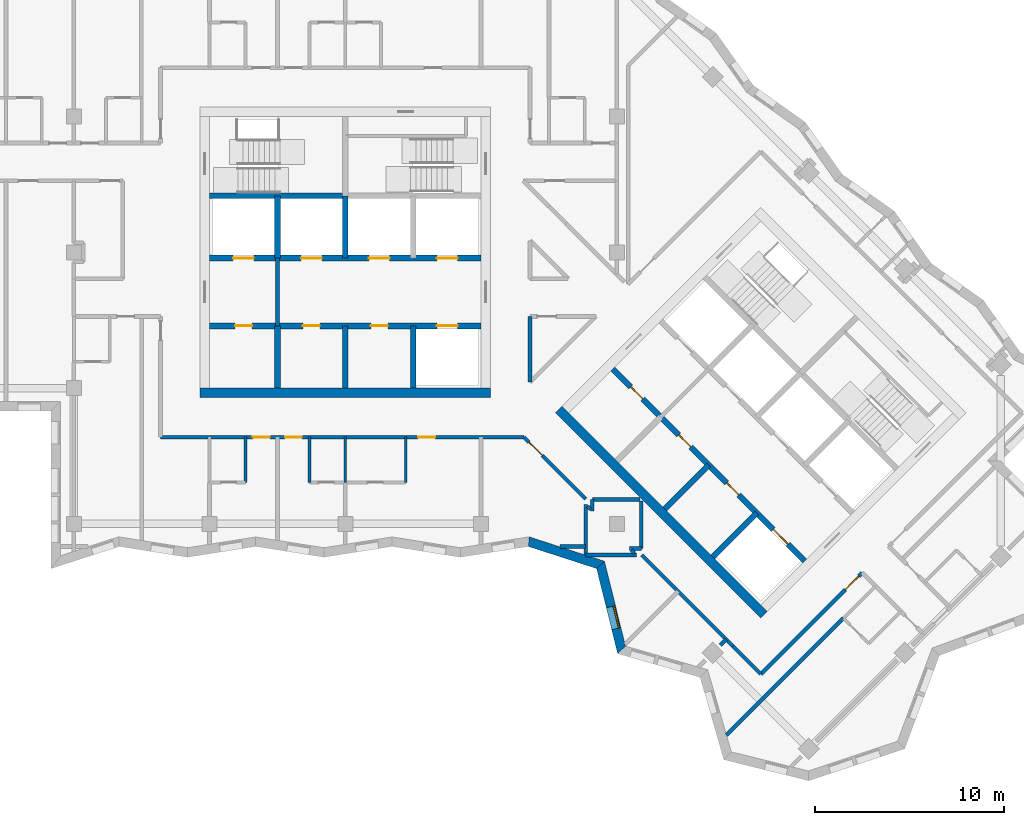
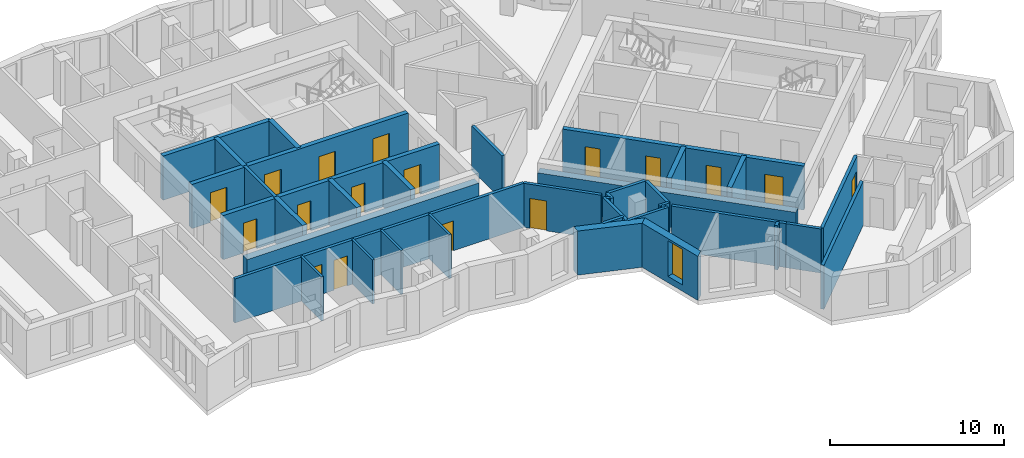
# One storey, part 4 of 13: 37 walls, 17 doors, 1 window, 18 openings.
"""IFC4 building model written with IfcOpenShell, lengths in metres."""

from ifc_helpers import new_model, si_unit, direction, frame, frame_2d, origin, place, context, subcontext, project, spatial, polyline, rectangle, outline, extrude, material, layer, layer_set, type_object, element, fill, save


model = new_model("IFC4")

# Units and contexts
model_context = context("Model", 3, precision=1e-05, world=origin(), true_north=direction((0.0, 1.0)))
body_context = subcontext(model_context, "Body", "Model", "MODEL_VIEW")
ifc_project = project(units=[si_unit("LENGTHUNIT", "METRE"), si_unit("AREAUNIT", "SQUARE_METRE"), si_unit("VOLUMEUNIT", "CUBIC_METRE"), si_unit("PLANEANGLEUNIT", "RADIAN"), si_unit("MASSUNIT", "GRAM", prefix="KILO")], contexts=[model_context])

# Site, building, storey
site_placement = place(None, origin())
site = spatial("IfcSite", under=ifc_project, at=site_placement, CompositionType="ELEMENT")
building_placement = place(site_placement, origin())
building = spatial("IfcBuilding", under=site, at=building_placement, Name="Windrow Commons", CompositionType="ELEMENT")
storey_placement = place(building_placement, frame((0.0, 0.0, 220.2)))
storey = spatial("IfcBuildingStorey", under=building, at=storey_placement, Name="L60", CompositionType="ELEMENT", Elevation=220.2)

# Wall
ifc_material_1 = material(Name="Brick masonry, red clay brick", Category="masonry")
ifc_layer_1 = layer(ifc_material_1, 0.5)
ifc_layer_set_1 = layer_set([ifc_layer_1], Name="Brick facade wall 500")
wall_type_1 = type_object("IfcWallType", Name="Brick facade wall 500", PredefinedType="SOLIDWALL", material=ifc_layer_set_1)
wall_1_placement = place(storey_placement, frame((74.532, 42.2563, 0.0), z_axis=(0.0, 0.0, 1.0), x_axis=(0.9512828791, -0.308319451, 0.0)))
element("IfcWall", 1, at=wall_1_placement, inside=storey, type_object=wall_type_1, Name="Brick facade wall L60 45", PredefinedType="SOLIDWALL", context=body_context, shape_type="SweptSolid", body=[
    extrude(outline(polyline([(0.0599, -0.25), (3.8611, -0.25), (4.139, 0.25), (-0.0599, 0.25), (0.0599, -0.25)])), origin(), (0.0, 0.0, 1.0), 3.1),
])

# Wall, opening, window
wall_2_placement = place(storey_placement, frame((78.3372, 41.023, 0.0), z_axis=(0.0, 0.0, 1.0), x_axis=(0.2402739698, -0.9707051146, 0.0)))
wall_2 = element("IfcWall", 2, at=wall_2_placement, inside=storey, type_object=wall_type_1, Name="Brick facade wall L60 46", PredefinedType="SOLIDWALL", context=body_context, shape_type="SweptSolid", body=[
    extrude(outline(polyline([(0.139, -0.25), (4.7858, -0.25), (4.4969, 0.25), (-0.139, 0.25), (0.139, -0.25)])), origin(), (0.0, 0.0, 1.0), 3.1),
])
opening_1_placement = place(wall_2_placement, frame((2.2814, 0.0, 0.45)))
opening_1 = element("IfcOpeningElement", 3, at=opening_1_placement, cuts=wall_2, Name="Opening W7E", PredefinedType="OPENING", context=body_context, shape_type="SweptSolid", body=[
    extrude(rectangle(XDim=1.2, YDim=2.5, at=frame_2d((0.6, 1.25))), frame((0.0, 0.26, 0.0), z_axis=(0.0, -1.0, 0.0), x_axis=(1.0, 0.0, 0.0)), (0.0, 0.0, 1.0), 0.52),
])
ifc_material_2 = material(Name="Clear float glass in anodised aluminium frame", Category="aluminium")
window_type = type_object("IfcWindowType", Name="Window W7 notch 1200x2500", PartitioningType="SINGLE_PANEL", PredefinedType="WINDOW", material=ifc_material_2)
window_placement = place(opening_1_placement, origin())
window = element("IfcWindow", 4, at=window_placement, inside=storey, type_object=window_type, Name="Window L60 46.1", OverallHeight=2.5, OverallWidth=1.2, PartitioningType="SINGLE_PANEL", PredefinedType="WINDOW", context=body_context, shape_type="SweptSolid", body=[
    extrude(rectangle(XDim=1.2, YDim=2.5, at=frame_2d((0.6, 1.25))), frame((0.0, 0.18, 0.0), z_axis=(0.0, -1.0, 0.0), x_axis=(1.0, 0.0, 0.0)), (0.0, 0.0, 1.0), 0.06),
])
fill(opening_1, window)

# Wall
ifc_material_3 = material(Name="Blockwork partition", Category="masonry")
ifc_layer_2 = layer(ifc_material_3, 0.2)
ifc_layer_set_2 = layer_set([ifc_layer_2], Name="Fire lobby partition 200")
wall_type_2 = type_object("IfcWallType", Name="Fire lobby partition 200", PredefinedType="PARTITIONING", material=ifc_layer_set_2)
wall_3_placement = place(storey_placement, frame((61.2, 53.7, 0.0), z_axis=(0.0, 0.0, 1.0), x_axis=(0.0, 1.0, 0.0)))
element("IfcWall", 5, at=wall_3_placement, inside=storey, type_object=wall_type_2, Name="W-core-lobby-A-L60", PredefinedType="PARTITIONING", context=body_context, shape_type="SweptSolid", body=[
    extrude(rectangle(XDim=3.6, YDim=0.2, at=frame_2d((1.8, 0.0))), origin(), (0.0, 0.0, 1.0), 3.1),
])

# Wall, openings, doors
ifc_material_4 = material(Name="Blockwork partition", Category="masonry")
ifc_layer_3 = layer(ifc_material_4, 0.2)
ifc_layer_set_3 = layer_set([ifc_layer_3], Name="IW-CORRIDOR-200")
wall_type_3 = type_object("IfcWallType", Name="IW-CORRIDOR-200", PredefinedType="PARTITIONING", material=ifc_layer_set_3)
wall_4_placement = place(storey_placement, frame((55.0, 47.8, 0.0), z_axis=(0.0, 0.0, 1.0), x_axis=(1.0, 0.0, 0.0)))
wall_4 = element("IfcWall", 6, at=wall_4_placement, inside=storey, type_object=wall_type_3, Name="W-L60-W001", PredefinedType="PARTITIONING", context=body_context, shape_type="SweptSolid", body=[
    extrude(rectangle(XDim=19.266, YDim=0.2, at=frame_2d((9.633, 0.0))), origin(), (0.0, 0.0, 1.0), 3.1),
])
opening_2_placement = place(wall_4_placement, frame((4.9, 0.0, 0.0)))
opening_2 = element("IfcOpeningElement", 7, at=opening_2_placement, cuts=wall_4, Name="Opening D109S", PredefinedType="OPENING", context=body_context, shape_type="SweptSolid", body=[
    extrude(rectangle(XDim=0.9, YDim=2.1, at=frame_2d((0.45, 1.05))), frame((0.0, 0.11, 0.0), z_axis=(0.0, -1.0, 0.0), x_axis=(1.0, 0.0, 0.0)), (0.0, 0.0, 1.0), 0.22),
])
opening_3_placement = place(wall_4_placement, frame((6.6, 0.0, 0.0)))
opening_3 = element("IfcOpeningElement", 8, at=opening_3_placement, cuts=wall_4, Name="Opening D109S", PredefinedType="OPENING", context=body_context, shape_type="SweptSolid", body=[
    extrude(rectangle(XDim=0.9, YDim=2.1, at=frame_2d((0.45, 1.05))), frame((0.0, 0.11, 0.0), z_axis=(0.0, -1.0, 0.0), x_axis=(1.0, 0.0, 0.0)), (0.0, 0.0, 1.0), 0.22),
])
opening_4_placement = place(wall_4_placement, frame((13.6607, 0.0, 0.0)))
opening_4 = element("IfcOpeningElement", 9, at=opening_4_placement, cuts=wall_4, Name="Opening D109F", PredefinedType="OPENING", context=body_context, shape_type="SweptSolid", body=[
    extrude(rectangle(XDim=0.9, YDim=2.1, at=frame_2d((0.45, 1.05))), frame((0.0, 0.11, 0.0), z_axis=(0.0, -1.0, 0.0), x_axis=(1.0, 0.0, 0.0)), (0.0, 0.0, 1.0), 0.22),
])
ifc_material_5 = material(Name="Timber door leaf", Category="wood")
door_type_1 = type_object("IfcDoorType", Name="DT-BEDROOM-900", OperationType="SINGLE_SWING_LEFT", PredefinedType="DOOR", material=ifc_material_5)
door_1_placement = place(opening_2_placement, origin())
door_1 = element("IfcDoor", 10, at=door_1_placement, inside=storey, type_object=door_type_1, Name="D-L60-D030", OperationType="SINGLE_SWING_LEFT", OverallHeight=2.1, OverallWidth=0.9, PredefinedType="DOOR", context=body_context, shape_type="SweptSolid", body=[
    extrude(rectangle(XDim=0.9, YDim=2.1, at=frame_2d((0.45, 1.05))), frame((0.0, 0.025, 0.0), z_axis=(0.0, -1.0, 0.0), x_axis=(1.0, 0.0, 0.0)), (0.0, 0.0, 1.0), 0.05),
])
fill(opening_2, door_1)
door_2_placement = place(opening_3_placement, origin())
door_2 = element("IfcDoor", 11, at=door_2_placement, inside=storey, type_object=door_type_1, Name="D-L60-D032", OperationType="SINGLE_SWING_RIGHT", OverallHeight=2.1, OverallWidth=0.9, PredefinedType="DOOR", context=body_context, shape_type="SweptSolid", body=[
    extrude(rectangle(XDim=0.9, YDim=2.1, at=frame_2d((0.45, 1.05))), frame((0.0, 0.025, 0.0), z_axis=(0.0, -1.0, 0.0), x_axis=(1.0, 0.0, 0.0)), (0.0, 0.0, 1.0), 0.05),
])
fill(opening_3, door_2)
door_3_placement = place(opening_4_placement, origin())
door_3 = element("IfcDoor", 12, at=door_3_placement, inside=storey, type_object=door_type_1, Name="D-L60-D034", OperationType="SINGLE_SWING_LEFT", OverallHeight=2.1, OverallWidth=0.9, PredefinedType="DOOR", context=body_context, shape_type="SweptSolid", body=[
    extrude(rectangle(XDim=0.9, YDim=2.1, at=frame_2d((0.45, 1.05))), frame((0.0, 0.025, 0.0), z_axis=(0.0, -1.0, 0.0), x_axis=(1.0, 0.0, 0.0)), (0.0, 0.0, 1.0), 0.05),
])
fill(opening_4, door_3)

# Wall, opening, door
wall_5_placement = place(storey_placement, frame((86.8353, 35.2307, 0.0), z_axis=(0.0, 0.0, 1.0), x_axis=(0.7071067812, 0.7071067812, 0.0)))
wall_5 = element("IfcWall", 13, at=wall_5_placement, inside=storey, type_object=wall_type_3, Name="W-L60-W013", PredefinedType="PARTITIONING", context=body_context, shape_type="SweptSolid", body=[
    extrude(rectangle(XDim=7.6, YDim=0.2, at=frame_2d((3.8, 0.0))), origin(), (0.0, 0.0, 1.0), 3.1),
])
opening_5_placement = place(wall_5_placement, frame((6.3464, 0.0, 0.0)))
opening_5 = element("IfcOpeningElement", 14, at=opening_5_placement, cuts=wall_5, Name="Opening D310F", PredefinedType="OPENING", context=body_context, shape_type="SweptSolid", body=[
    extrude(rectangle(XDim=1.0, YDim=2.1, at=frame_2d((0.5, 1.05))), frame((0.0, 0.11, 0.0), z_axis=(0.0, -1.0, 0.0), x_axis=(1.0, 0.0, 0.0)), (0.0, 0.0, 1.0), 0.22),
])
ifc_material_6 = material(Name="Timber door leaf", Category="wood")
door_type_2 = type_object("IfcDoorType", Name="DT-AMENITY-1000", OperationType="SINGLE_SWING_LEFT", PredefinedType="DOOR", material=ifc_material_6)
door_4_placement = place(opening_5_placement, origin())
door_4 = element("IfcDoor", 15, at=door_4_placement, inside=storey, type_object=door_type_2, Name="D-L60-D051", OperationType="SINGLE_SWING_RIGHT", OverallHeight=2.1, OverallWidth=1.0, PredefinedType="DOOR", context=body_context, shape_type="SweptSolid", body=[
    extrude(rectangle(XDim=1.0, YDim=2.1, at=frame_2d((0.5, 1.05))), frame((0.0, 0.025, 0.0), z_axis=(0.0, -1.0, 0.0), x_axis=(1.0, 0.0, 0.0)), (0.0, 0.0, 1.0), 0.05),
])
fill(opening_5, door_4)

# Wall
wall_6_placement = place(storey_placement, frame((80.5215, 41.5535, 0.0), z_axis=(0.0, 0.0, 1.0), x_axis=(0.7071067812, -0.7071067812, 0.0)))
element("IfcWall", 16, at=wall_6_placement, inside=storey, type_object=wall_type_3, Name="W-L60-W018", PredefinedType="PARTITIONING", context=body_context, shape_type="SweptSolid", body=[
    extrude(rectangle(XDim=6.8363, YDim=0.2, at=frame_2d((3.4181, 0.0))), origin(), (0.0, 0.0, 1.0), 3.1),
])

# Wall, opening, door
wall_7_placement = place(storey_placement, frame((74.2715, 47.8035, 0.0), z_axis=(0.0, 0.0, 1.0), x_axis=(0.7071067812, -0.7071067812, 0.0)))
wall_7 = element("IfcWall", 17, at=wall_7_placement, inside=storey, type_object=wall_type_3, Name="W-L60-W036", PredefinedType="PARTITIONING", context=body_context, shape_type="SweptSolid", body=[
    extrude(rectangle(XDim=4.6414, YDim=0.2, at=frame_2d((2.3207, 0.0))), origin(), (0.0, 0.0, 1.0), 3.1),
])
opening_6_placement = place(wall_7_placement, frame((0.3824, 0.0, 0.0)))
opening_6 = element("IfcOpeningElement", 18, at=opening_6_placement, cuts=wall_7, Name="Opening D310F", PredefinedType="OPENING", context=body_context, shape_type="SweptSolid", body=[
    extrude(rectangle(XDim=1.0, YDim=2.1, at=frame_2d((0.5, 1.05))), frame((0.0, 0.11, 0.0), z_axis=(0.0, -1.0, 0.0), x_axis=(1.0, 0.0, 0.0)), (0.0, 0.0, 1.0), 0.22),
])
door_5_placement = place(opening_6_placement, origin())
door_5 = element("IfcDoor", 19, at=door_5_placement, inside=storey, type_object=door_type_2, Name="D-L60-D036", OperationType="SINGLE_SWING_LEFT", OverallHeight=2.1, OverallWidth=1.0, PredefinedType="DOOR", context=body_context, shape_type="SweptSolid", body=[
    extrude(rectangle(XDim=1.0, YDim=2.1, at=frame_2d((0.5, 1.05))), frame((0.0, 0.025, 0.0), z_axis=(0.0, -1.0, 0.0), x_axis=(1.0, 0.0, 0.0)), (0.0, 0.0, 1.0), 0.05),
])
fill(opening_6, door_5)

# Walls
wall_8_placement = place(storey_placement, frame((74.6, 50.714, 0.0), z_axis=(0.0, 0.0, 1.0), x_axis=(0.0, 1.0, 0.0)))
element("IfcWall", 20, at=wall_8_placement, inside=storey, type_object=wall_type_3, Name="W-L60-W052", PredefinedType="PARTITIONING", context=body_context, shape_type="SweptSolid", body=[
    extrude(rectangle(XDim=3.486, YDim=0.2, at=frame_2d((1.743, 0.0))), origin(), (0.0, 0.0, 1.0), 3.1),
])
for number, where, z_axis, x_axis, name in (
    (21, (77.902, 44.5, 0.0), (0.0, 0.0, 1.0), (1.0, 0.0, 0.0), "W-L60-W068"),
    (22, (80.5, 41.902, 0.0), (0.0, 0.0, 1.0), (0.0, 1.0, 0.0), "W-L60-W069"),
):
    element("IfcWall", number, at=place(storey_placement, frame(where, z_axis=z_axis, x_axis=x_axis)), inside=storey, type_object=wall_type_3, Name=name, PredefinedType="PARTITIONING", context=body_context, shape_type="SweptSolid", body=[
        extrude(rectangle(XDim=2.522, YDim=0.2, at=frame_2d((1.261, 0.0))), origin(), (0.0, 0.0, 1.0), 3.1),
    ])
wall_9_placement = place(storey_placement, frame((85.3532, 36.7172, 0.0), z_axis=(0.0, 0.0, 1.0), x_axis=(0.7066304548, -0.7075827869, 0.0)))
element("IfcWall", 23, at=wall_9_placement, inside=storey, type_object=wall_type_3, Name="W-L60-W105", PredefinedType="PARTITIONING", context=body_context, shape_type="SweptSolid", body=[
    extrude(rectangle(XDim=2.1001, YDim=0.2, at=frame_2d((1.05, 0.0))), origin(), (0.0, 0.0, 1.0), 3.1),
])
for number, where, z_axis, x_axis, name in (
    (24, (77.9, 43.884, 0.0), (0.0, 0.0, 1.0), (0.0, 1.0, 0.0), "W-L60-W156"),
    (25, (79.884, 41.9, 0.0), (0.0, 0.0, 1.0), (1.0, 0.0, 0.0), "W-L60-W157"),
):
    element("IfcWall", number, at=place(storey_placement, frame(where, z_axis=z_axis, x_axis=x_axis)), inside=storey, type_object=wall_type_3, Name=name, PredefinedType="PARTITIONING", context=body_context, shape_type="SweptSolid", body=[
        extrude(rectangle(XDim=0.616, YDim=0.2, at=frame_2d((0.308, 0.0))), origin(), (0.0, 0.0, 1.0), 3.1),
    ])
for number, where, z_axis, x_axis, name in (
    (26, (79.9729, 41.805, 0.0), (0.0, 0.0, 1.0), (0.707329037, -0.7068844555, 0.0), "W-L60-W167"),
    (27, (77.646, 44.132, 0.0), (0.0, 0.0, 1.0), (0.7068844555, -0.707329037, 0.0), "W-L60-W168"),
):
    element("IfcWall", number, at=place(storey_placement, frame(where, z_axis=z_axis, x_axis=x_axis)), inside=storey, type_object=wall_type_3, Name=name, PredefinedType="PARTITIONING", context=body_context, shape_type="SweptSolid", body=[
        extrude(rectangle(XDim=0.2249, YDim=0.2, at=frame_2d((0.1124, 0.0))), origin(), (0.0, 0.0, 1.0), 3.1),
    ])
ifc_material_7 = material(Name="Blockwork partition", Category="masonry")
ifc_layer_4 = layer(ifc_material_7, 0.15)
ifc_layer_set_4 = layer_set([ifc_layer_4], Name="IW-ENSUITE-150")
wall_type_4 = type_object("IfcWallType", Name="IW-ENSUITE-150", PredefinedType="PARTITIONING", material=ifc_layer_set_4)
for number, where, z_axis, x_axis, name in (
    (28, (59.5, 45.4, 0.0), (0.0, 0.0, 1.0), (0.0, 1.0, 0.0), "W-L60-W089"),
    (29, (62.9, 45.4, 0.0), (0.0, 0.0, 1.0), (0.0, 1.0, 0.0), "W-L60-W091"),
    (30, (68.0, 45.4, 0.0), (0.0, 0.0, 1.0), (0.0, 1.0, 0.0), "W-L60-W092"),
    (31, (64.8, 45.4, 0.0), (0.0, 0.0, 1.0), (0.0, 1.0, 0.0), "W-L60-W093"),
):
    element("IfcWall", number, at=place(storey_placement, frame(where, z_axis=z_axis, x_axis=x_axis)), inside=storey, type_object=wall_type_4, Name=name, PredefinedType="PARTITIONING", context=body_context, shape_type="SweptSolid", body=[
        extrude(rectangle(XDim=2.4, YDim=0.15, at=frame_2d((1.2, 0.0))), origin(), (0.0, 0.0, 1.0), 3.1),
    ])
ifc_material_8 = material(Name="Blockwork partition", Category="masonry")
ifc_layer_5 = layer(ifc_material_8, 0.2)
ifc_layer_set_5 = layer_set([ifc_layer_5], Name="IW-PARTY-200")
wall_type_5 = type_object("IfcWallType", Name="IW-PARTY-200", PredefinedType="PARTITIONING", material=ifc_layer_set_5)
wall_10_placement = place(storey_placement, frame((85.0157, 31.9969, 0.0), z_axis=(0.0, 0.0, 1.0), x_axis=(0.7071067812, 0.7071067812, 0.0)))
element("IfcWall", 32, at=wall_10_placement, inside=storey, type_object=wall_type_5, Name="W-L60-W012", PredefinedType="PARTITIONING", context=body_context, shape_type="SweptSolid", body=[
    extrude(rectangle(XDim=8.7734, YDim=0.2, at=frame_2d((4.3867, 0.0))), origin(), (0.0, 0.0, 1.0), 3.1),
])
wall_11_placement = place(storey_placement, frame((77.572, 41.55, 0.0), z_axis=(0.0, 0.0, 1.0), x_axis=(1.0, 0.0, 0.0)))
element("IfcWall", 33, at=wall_11_placement, inside=storey, type_object=wall_type_5, Name="W-L60-W064", PredefinedType="PARTITIONING", context=body_context, shape_type="SweptSolid", body=[
    extrude(rectangle(XDim=2.662, YDim=0.2, at=frame_2d((1.331, 0.0))), origin(), (0.0, 0.0, 1.0), 3.1),
])
wall_12_placement = place(storey_placement, frame((77.55, 41.5409, 0.0), z_axis=(0.0, 0.0, 1.0), x_axis=(0.0, 1.0, 0.0)))
element("IfcWall", 34, at=wall_12_placement, inside=storey, type_object=wall_type_5, Name="W-L60-W065", PredefinedType="PARTITIONING", context=body_context, shape_type="SweptSolid", body=[
    extrude(rectangle(XDim=2.6931, YDim=0.2, at=frame_2d((1.3465, 0.0))), origin(), (0.0, 0.0, 1.0), 3.1),
])
wall_13_placement = place(storey_placement, frame((76.1836, 42.0, 0.0), z_axis=(0.0, 0.0, 1.0), x_axis=(1.0, 0.0, 0.0)))
element("IfcWall", 35, at=wall_13_placement, inside=storey, type_object=wall_type_5, Name="W-L60-W133", PredefinedType="PARTITIONING", context=body_context, shape_type="SweptSolid", body=[
    extrude(rectangle(XDim=1.3664, YDim=0.2, at=frame_2d((0.6832, 0.0))), origin(), (0.0, 0.0, 1.0), 3.1),
])
wall_14_placement = place(storey_placement, frame((84.6908, 36.7632, 0.0), z_axis=(0.0, 0.0, 1.0), x_axis=(0.7071067812, 0.7071067812, 0.0)))
element("IfcWall", 36, at=wall_14_placement, inside=storey, type_object=wall_type_5, Name="W-L60-W186", PredefinedType="PARTITIONING", context=body_context, shape_type="SweptSolid", body=[
    extrude(rectangle(XDim=0.4327, YDim=0.2, at=frame_2d((0.2163, 0.0))), origin(), (0.0, 0.0, 1.0), 3.1),
])
ifc_material_9 = material(Name="Concrete C40/50", Category="concrete")
ifc_layer_6 = layer(ifc_material_9, 0.5)
ifc_layer_set_6 = layer_set([ifc_layer_6], Name="RC CORE WALL 500 C40/50")
wall_type_6 = type_object("IfcWallType", Name="RC CORE WALL 500 C40/50", PredefinedType="SHEAR", material=ifc_layer_set_6)
wall_15_placement = place(storey_placement, frame((57.1, 50.15, -0.3), z_axis=(0.0, 0.0, 1.0), x_axis=(1.0, 0.0, 0.0)))
element("IfcWall", 37, at=wall_15_placement, inside=storey, type_object=wall_type_6, Name="Core A wall outer-S", PredefinedType="SHEAR", context=body_context, shape_type="SweptSolid", body=[
    extrude(rectangle(XDim=15.4, YDim=0.5, at=frame_2d((7.7, 0.0))), origin(), (0.0, 0.0, 1.0), 2.7),
])
wall_16_placement = place(storey_placement, frame((76.1241, 49.2665, -0.3), z_axis=(0.0, 0.0, 1.0), x_axis=(0.7071067812, -0.7071067812, 0.0)))
element("IfcWall", 38, at=wall_16_placement, inside=storey, type_object=wall_type_6, Name="Core B wall outer-S", PredefinedType="SHEAR", context=body_context, shape_type="SweptSolid", body=[
    extrude(rectangle(XDim=15.3999, YDim=0.5, at=frame_2d((7.7, 0.0))), origin(), (0.0, 0.0, 1.0), 2.7),
])
ifc_material_10 = material(Name="Concrete C40/50", Category="concrete")
ifc_layer_7 = layer(ifc_material_10, 0.3)
ifc_layer_set_7 = layer_set([ifc_layer_7], Name="RC SHAFT WALL 300 C40/50")
wall_type_7 = type_object("IfcWallType", Name="RC SHAFT WALL 300 C40/50", PredefinedType="SOLIDWALL", material=ifc_layer_set_7)
for number, where, z_axis, x_axis, name in (
    (39, (61.2, 50.4, 0.0), (0.0, 0.0, 1.0), (0.0, 1.0, 0.0), "Core A wall shaft-S1"),
    (40, (61.2, 57.3, 0.0), (0.0, 0.0, 1.0), (0.0, 1.0, 0.0), "Core A wall shaft-N1"),
    (41, (64.8, 50.4, 0.0), (0.0, 0.0, 1.0), (0.0, 1.0, 0.0), "Core A wall shaft-S2"),
    (42, (64.8, 57.3, 0.0), (0.0, 0.0, 1.0), (0.0, 1.0, 0.0), "Core A wall shaft-N2"),
    (43, (68.4, 50.4, 0.0), (0.0, 0.0, 1.0), (0.0, 1.0, 0.0), "Core A wall shaft-S3"),
):
    element("IfcWall", number, at=place(storey_placement, frame(where, z_axis=z_axis, x_axis=x_axis)), inside=storey, type_object=wall_type_7, Name=name, PredefinedType="SOLIDWALL", context=body_context, shape_type="SweptSolid", body=[
        extrude(rectangle(XDim=3.3, YDim=0.3, at=frame_2d((1.65, 0.0))), origin(), (0.0, 0.0, 1.0), 3.1),
    ])

# Wall, openings, doors
wall_17_placement = place(storey_placement, frame((57.6, 53.7, 0.0), z_axis=(0.0, 0.0, 1.0), x_axis=(1.0, 0.0, 0.0)))
wall_17 = element("IfcWall", 44, at=wall_17_placement, inside=storey, type_object=wall_type_7, Name="Core A wall lobby-S", PredefinedType="SOLIDWALL", context=body_context, shape_type="SweptSolid", body=[
    extrude(rectangle(XDim=14.4, YDim=0.3, at=frame_2d((7.2, 0.0))), origin(), (0.0, 0.0, 1.0), 3.1),
])
opening_7_placement = place(wall_17_placement, frame((1.35, 0.0, 0.0)))
opening_7 = element("IfcOpeningElement", 45, at=opening_7_placement, cuts=wall_17, Name="Opening D8", PredefinedType="OPENING", context=body_context, shape_type="SweptSolid", body=[
    extrude(rectangle(XDim=0.9, YDim=2.1, at=frame_2d((0.45, 1.05))), frame((0.0, 0.16, 0.0), z_axis=(0.0, -1.0, 0.0), x_axis=(1.0, 0.0, 0.0)), (0.0, 0.0, 1.0), 0.32),
])
opening_8_placement = place(wall_17_placement, frame((4.95, 0.0, 0.0)))
opening_8 = element("IfcOpeningElement", 46, at=opening_8_placement, cuts=wall_17, Name="Opening D8", PredefinedType="OPENING", context=body_context, shape_type="SweptSolid", body=[
    extrude(rectangle(XDim=0.9, YDim=2.1, at=frame_2d((0.45, 1.05))), frame((0.0, 0.16, 0.0), z_axis=(0.0, -1.0, 0.0), x_axis=(1.0, 0.0, 0.0)), (0.0, 0.0, 1.0), 0.32),
])
opening_9_placement = place(wall_17_placement, frame((8.55, 0.0, 0.0)))
opening_9 = element("IfcOpeningElement", 47, at=opening_9_placement, cuts=wall_17, Name="Opening D8", PredefinedType="OPENING", context=body_context, shape_type="SweptSolid", body=[
    extrude(rectangle(XDim=0.9, YDim=2.1, at=frame_2d((0.45, 1.05))), frame((0.0, 0.16, 0.0), z_axis=(0.0, -1.0, 0.0), x_axis=(1.0, 0.0, 0.0)), (0.0, 0.0, 1.0), 0.32),
])
opening_10_placement = place(wall_17_placement, frame((12.05, 0.0, 0.0)))
opening_10 = element("IfcOpeningElement", 48, at=opening_10_placement, cuts=wall_17, Name="Opening LD", PredefinedType="OPENING", context=body_context, shape_type="SweptSolid", body=[
    extrude(rectangle(XDim=1.1, YDim=2.1, at=frame_2d((0.55, 1.05))), frame((0.0, 0.16, 0.0), z_axis=(0.0, -1.0, 0.0), x_axis=(1.0, 0.0, 0.0)), (0.0, 0.0, 1.0), 0.32),
])
ifc_material_11 = material(Name="Steel fire door leaf", Category="steel")
door_type_3 = type_object("IfcDoorType", Name="Core store door 900", OperationType="SINGLE_SWING_LEFT", PredefinedType="DOOR", material=ifc_material_11)
door_6_placement = place(opening_7_placement, origin())
door_6 = element("IfcDoor", 49, at=door_6_placement, inside=storey, type_object=door_type_3, Name="Store door", OperationType="SINGLE_SWING_LEFT", OverallHeight=2.1, OverallWidth=0.9, PredefinedType="DOOR", context=body_context, shape_type="SweptSolid", body=[
    extrude(rectangle(XDim=0.9, YDim=2.1, at=frame_2d((0.45, 1.05))), frame((0.0, 0.025, 0.0), z_axis=(0.0, -1.0, 0.0), x_axis=(1.0, 0.0, 0.0)), (0.0, 0.0, 1.0), 0.05),
])
fill(opening_7, door_6)
door_7_placement = place(opening_8_placement, origin())
door_7 = element("IfcDoor", 50, at=door_7_placement, inside=storey, type_object=door_type_3, Name="Store door", OperationType="SINGLE_SWING_LEFT", OverallHeight=2.1, OverallWidth=0.9, PredefinedType="DOOR", context=body_context, shape_type="SweptSolid", body=[
    extrude(rectangle(XDim=0.9, YDim=2.1, at=frame_2d((0.45, 1.05))), frame((0.0, 0.025, 0.0), z_axis=(0.0, -1.0, 0.0), x_axis=(1.0, 0.0, 0.0)), (0.0, 0.0, 1.0), 0.05),
])
fill(opening_8, door_7)
door_8_placement = place(opening_9_placement, origin())
door_8 = element("IfcDoor", 51, at=door_8_placement, inside=storey, type_object=door_type_3, Name="Store door", OperationType="SINGLE_SWING_LEFT", OverallHeight=2.1, OverallWidth=0.9, PredefinedType="DOOR", context=body_context, shape_type="SweptSolid", body=[
    extrude(rectangle(XDim=0.9, YDim=2.1, at=frame_2d((0.45, 1.05))), frame((0.0, 0.025, 0.0), z_axis=(0.0, -1.0, 0.0), x_axis=(1.0, 0.0, 0.0)), (0.0, 0.0, 1.0), 0.05),
])
fill(opening_9, door_8)
ifc_material_12 = material(Name="Stainless steel door leaf", Category="steel")
door_type_4 = type_object("IfcDoorType", Name="Lift landing door 1100", OperationType="SLIDING_TO_LEFT", PredefinedType="DOOR", material=ifc_material_12)
door_9_placement = place(opening_10_placement, origin())
door_9 = element("IfcDoor", 52, at=door_9_placement, inside=storey, type_object=door_type_4, Name="Lift landing door", OperationType="SLIDING_TO_RIGHT", OverallHeight=2.1, OverallWidth=1.1, PredefinedType="DOOR", context=body_context, shape_type="SweptSolid", body=[
    extrude(rectangle(XDim=1.1, YDim=2.1, at=frame_2d((0.55, 1.05))), frame((0.0, 0.025, 0.0), z_axis=(0.0, -1.0, 0.0), x_axis=(1.0, 0.0, 0.0)), (0.0, 0.0, 1.0), 0.05),
])
fill(opening_10, door_9)

wall_18_placement = place(storey_placement, frame((57.6, 57.3, 0.0), z_axis=(0.0, 0.0, 1.0), x_axis=(1.0, 0.0, 0.0)))
wall_18 = element("IfcWall", 53, at=wall_18_placement, inside=storey, type_object=wall_type_7, Name="Core A wall lobby-N", PredefinedType="SOLIDWALL", context=body_context, shape_type="SweptSolid", body=[
    extrude(rectangle(XDim=14.4, YDim=0.3, at=frame_2d((7.2, 0.0))), origin(), (0.0, 0.0, 1.0), 3.1),
])
opening_11_placement = place(wall_18_placement, frame((1.25, 0.0, 0.0)))
opening_11 = element("IfcOpeningElement", 54, at=opening_11_placement, cuts=wall_18, Name="Opening LD", PredefinedType="OPENING", context=body_context, shape_type="SweptSolid", body=[
    extrude(rectangle(XDim=1.1, YDim=2.1, at=frame_2d((0.55, 1.05))), frame((0.0, 0.16, 0.0), z_axis=(0.0, -1.0, 0.0), x_axis=(1.0, 0.0, 0.0)), (0.0, 0.0, 1.0), 0.32),
])
opening_12_placement = place(wall_18_placement, frame((4.85, 0.0, 0.0)))
opening_12 = element("IfcOpeningElement", 55, at=opening_12_placement, cuts=wall_18, Name="Opening LD", PredefinedType="OPENING", context=body_context, shape_type="SweptSolid", body=[
    extrude(rectangle(XDim=1.1, YDim=2.1, at=frame_2d((0.55, 1.05))), frame((0.0, 0.16, 0.0), z_axis=(0.0, -1.0, 0.0), x_axis=(1.0, 0.0, 0.0)), (0.0, 0.0, 1.0), 0.32),
])
opening_13_placement = place(wall_18_placement, frame((8.45, 0.0, 0.0)))
opening_13 = element("IfcOpeningElement", 56, at=opening_13_placement, cuts=wall_18, Name="Opening LD", PredefinedType="OPENING", context=body_context, shape_type="SweptSolid", body=[
    extrude(rectangle(XDim=1.1, YDim=2.1, at=frame_2d((0.55, 1.05))), frame((0.0, 0.16, 0.0), z_axis=(0.0, -1.0, 0.0), x_axis=(1.0, 0.0, 0.0)), (0.0, 0.0, 1.0), 0.32),
])
opening_14_placement = place(wall_18_placement, frame((12.05, 0.0, 0.0)))
opening_14 = element("IfcOpeningElement", 57, at=opening_14_placement, cuts=wall_18, Name="Opening LD", PredefinedType="OPENING", context=body_context, shape_type="SweptSolid", body=[
    extrude(rectangle(XDim=1.1, YDim=2.1, at=frame_2d((0.55, 1.05))), frame((0.0, 0.16, 0.0), z_axis=(0.0, -1.0, 0.0), x_axis=(1.0, 0.0, 0.0)), (0.0, 0.0, 1.0), 0.32),
])
door_10_placement = place(opening_11_placement, origin())
door_10 = element("IfcDoor", 58, at=door_10_placement, inside=storey, type_object=door_type_4, Name="Lift landing door", OperationType="SLIDING_TO_LEFT", OverallHeight=2.1, OverallWidth=1.1, PredefinedType="DOOR", context=body_context, shape_type="SweptSolid", body=[
    extrude(rectangle(XDim=1.1, YDim=2.1, at=frame_2d((0.55, 1.05))), frame((0.0, 0.025, 0.0), z_axis=(0.0, -1.0, 0.0), x_axis=(1.0, 0.0, 0.0)), (0.0, 0.0, 1.0), 0.05),
])
fill(opening_11, door_10)
door_11_placement = place(opening_12_placement, origin())
door_11 = element("IfcDoor", 59, at=door_11_placement, inside=storey, type_object=door_type_4, Name="Lift landing door", OperationType="SLIDING_TO_RIGHT", OverallHeight=2.1, OverallWidth=1.1, PredefinedType="DOOR", context=body_context, shape_type="SweptSolid", body=[
    extrude(rectangle(XDim=1.1, YDim=2.1, at=frame_2d((0.55, 1.05))), frame((0.0, 0.025, 0.0), z_axis=(0.0, -1.0, 0.0), x_axis=(1.0, 0.0, 0.0)), (0.0, 0.0, 1.0), 0.05),
])
fill(opening_12, door_11)
door_12_placement = place(opening_13_placement, origin())
door_12 = element("IfcDoor", 60, at=door_12_placement, inside=storey, type_object=door_type_4, Name="Lift landing door", OperationType="SLIDING_TO_LEFT", OverallHeight=2.1, OverallWidth=1.1, PredefinedType="DOOR", context=body_context, shape_type="SweptSolid", body=[
    extrude(rectangle(XDim=1.1, YDim=2.1, at=frame_2d((0.55, 1.05))), frame((0.0, 0.025, 0.0), z_axis=(0.0, -1.0, 0.0), x_axis=(1.0, 0.0, 0.0)), (0.0, 0.0, 1.0), 0.05),
])
fill(opening_13, door_12)
door_13_placement = place(opening_14_placement, origin())
door_13 = element("IfcDoor", 61, at=door_13_placement, inside=storey, type_object=door_type_4, Name="Lift landing door", OperationType="SLIDING_TO_RIGHT", OverallHeight=2.1, OverallWidth=1.1, PredefinedType="DOOR", context=body_context, shape_type="SweptSolid", body=[
    extrude(rectangle(XDim=1.1, YDim=2.1, at=frame_2d((0.55, 1.05))), frame((0.0, 0.025, 0.0), z_axis=(0.0, -1.0, 0.0), x_axis=(1.0, 0.0, 0.0)), (0.0, 0.0, 1.0), 0.05),
])
fill(opening_14, door_13)

# Walls
wall_19_placement = place(storey_placement, frame((57.6, 60.6, 0.0), z_axis=(0.0, 0.0, 1.0), x_axis=(1.0, 0.0, 0.0)))
element("IfcWall", 62, at=wall_19_placement, inside=storey, type_object=wall_type_7, Name="Core A wall stair-S", PredefinedType="SOLIDWALL", context=body_context, shape_type="SweptSolid", body=[
    extrude(rectangle(XDim=7.2, YDim=0.3, at=frame_2d((3.6, 0.0))), origin(), (0.0, 0.0, 1.0), 3.1),
])
for number, where, z_axis, x_axis, name in (
    (63, (81.7456, 43.9986, 0.0), (0.0, 0.0, 1.0), (0.7071067812, 0.7071067812, 0.0), "Core B wall shaft-S2"),
    (64, (84.2912, 41.453, 0.0), (0.0, 0.0, 1.0), (0.7071067812, 0.7071067812, 0.0), "Core B wall shaft-S3"),
):
    element("IfcWall", number, at=place(storey_placement, frame(where, z_axis=z_axis, x_axis=x_axis)), inside=storey, type_object=wall_type_7, Name=name, PredefinedType="SOLIDWALL", context=body_context, shape_type="SweptSolid", body=[
        extrude(rectangle(XDim=3.2999, YDim=0.3, at=frame_2d((1.65, 0.0))), origin(), (0.0, 0.0, 1.0), 3.1),
    ])

# Wall, openings, doors
wall_20_placement = place(storey_placement, frame((78.9879, 51.4232, 0.0), z_axis=(0.0, 0.0, 1.0), x_axis=(0.7071067812, -0.7071067812, 0.0)))
wall_20 = element("IfcWall", 65, at=wall_20_placement, inside=storey, type_object=wall_type_7, Name="Core B wall lobby-S", PredefinedType="SOLIDWALL", context=body_context, shape_type="SweptSolid", body=[
    extrude(rectangle(XDim=14.3999, YDim=0.3, at=frame_2d((7.2, 0.0))), origin(), (0.0, 0.0, 1.0), 3.1),
])
opening_15_placement = place(wall_20_placement, frame((1.35, 0.0, 0.0)))
opening_15 = element("IfcOpeningElement", 66, at=opening_15_placement, cuts=wall_20, Name="Opening D8", PredefinedType="OPENING", context=body_context, shape_type="SweptSolid", body=[
    extrude(rectangle(XDim=0.9, YDim=2.1, at=frame_2d((0.45, 1.05))), frame((0.0, 0.16, 0.0), z_axis=(0.0, -1.0, 0.0), x_axis=(1.0, 0.0, 0.0)), (0.0, 0.0, 1.0), 0.32),
])
opening_16_placement = place(wall_20_placement, frame((4.95, 0.0, 0.0)))
opening_16 = element("IfcOpeningElement", 67, at=opening_16_placement, cuts=wall_20, Name="Opening D8", PredefinedType="OPENING", context=body_context, shape_type="SweptSolid", body=[
    extrude(rectangle(XDim=0.9, YDim=2.1, at=frame_2d((0.45, 1.05))), frame((0.0, 0.16, 0.0), z_axis=(0.0, -1.0, 0.0), x_axis=(1.0, 0.0, 0.0)), (0.0, 0.0, 1.0), 0.32),
])
opening_17_placement = place(wall_20_placement, frame((8.55, 0.0, 0.0)))
opening_17 = element("IfcOpeningElement", 68, at=opening_17_placement, cuts=wall_20, Name="Opening D8", PredefinedType="OPENING", context=body_context, shape_type="SweptSolid", body=[
    extrude(rectangle(XDim=0.9, YDim=2.1, at=frame_2d((0.45, 1.05))), frame((0.0, 0.16, 0.0), z_axis=(0.0, -1.0, 0.0), x_axis=(1.0, 0.0, 0.0)), (0.0, 0.0, 1.0), 0.32),
])
opening_18_placement = place(wall_20_placement, frame((12.05, 0.0, 0.0)))
opening_18 = element("IfcOpeningElement", 69, at=opening_18_placement, cuts=wall_20, Name="Opening LD", PredefinedType="OPENING", context=body_context, shape_type="SweptSolid", body=[
    extrude(rectangle(XDim=1.1, YDim=2.1, at=frame_2d((0.55, 1.05))), frame((0.0, 0.16, 0.0), z_axis=(0.0, -1.0, 0.0), x_axis=(1.0, 0.0, 0.0)), (0.0, 0.0, 1.0), 0.32),
])
door_14_placement = place(opening_15_placement, origin())
door_14 = element("IfcDoor", 70, at=door_14_placement, inside=storey, type_object=door_type_3, Name="Store door", OperationType="SINGLE_SWING_LEFT", OverallHeight=2.1, OverallWidth=0.9, PredefinedType="DOOR", context=body_context, shape_type="SweptSolid", body=[
    extrude(rectangle(XDim=0.9, YDim=2.1, at=frame_2d((0.45, 1.05))), frame((0.0, 0.025, 0.0), z_axis=(0.0, -1.0, 0.0), x_axis=(1.0, 0.0, 0.0)), (0.0, 0.0, 1.0), 0.05),
])
fill(opening_15, door_14)
door_15_placement = place(opening_16_placement, origin())
door_15 = element("IfcDoor", 71, at=door_15_placement, inside=storey, type_object=door_type_3, Name="Store door", OperationType="SINGLE_SWING_LEFT", OverallHeight=2.1, OverallWidth=0.9, PredefinedType="DOOR", context=body_context, shape_type="SweptSolid", body=[
    extrude(rectangle(XDim=0.9, YDim=2.1, at=frame_2d((0.45, 1.05))), frame((0.0, 0.025, 0.0), z_axis=(0.0, -1.0, 0.0), x_axis=(1.0, 0.0, 0.0)), (0.0, 0.0, 1.0), 0.05),
])
fill(opening_16, door_15)
door_16_placement = place(opening_17_placement, origin())
door_16 = element("IfcDoor", 72, at=door_16_placement, inside=storey, type_object=door_type_3, Name="Store door", OperationType="SINGLE_SWING_LEFT", OverallHeight=2.1, OverallWidth=0.9, PredefinedType="DOOR", context=body_context, shape_type="SweptSolid", body=[
    extrude(rectangle(XDim=0.9, YDim=2.1, at=frame_2d((0.45, 1.05))), frame((0.0, 0.025, 0.0), z_axis=(0.0, -1.0, 0.0), x_axis=(1.0, 0.0, 0.0)), (0.0, 0.0, 1.0), 0.05),
])
fill(opening_17, door_16)
door_17_placement = place(opening_18_placement, origin())
door_17 = element("IfcDoor", 73, at=door_17_placement, inside=storey, type_object=door_type_4, Name="Lift landing door", OperationType="SLIDING_TO_RIGHT", OverallHeight=2.1, OverallWidth=1.1, PredefinedType="DOOR", context=body_context, shape_type="SweptSolid", body=[
    extrude(rectangle(XDim=1.1, YDim=2.1, at=frame_2d((0.55, 1.05))), frame((0.0, 0.025, 0.0), z_axis=(0.0, -1.0, 0.0), x_axis=(1.0, 0.0, 0.0)), (0.0, 0.0, 1.0), 0.05),
])
fill(opening_18, door_17)

save(model, "model.ifc")
